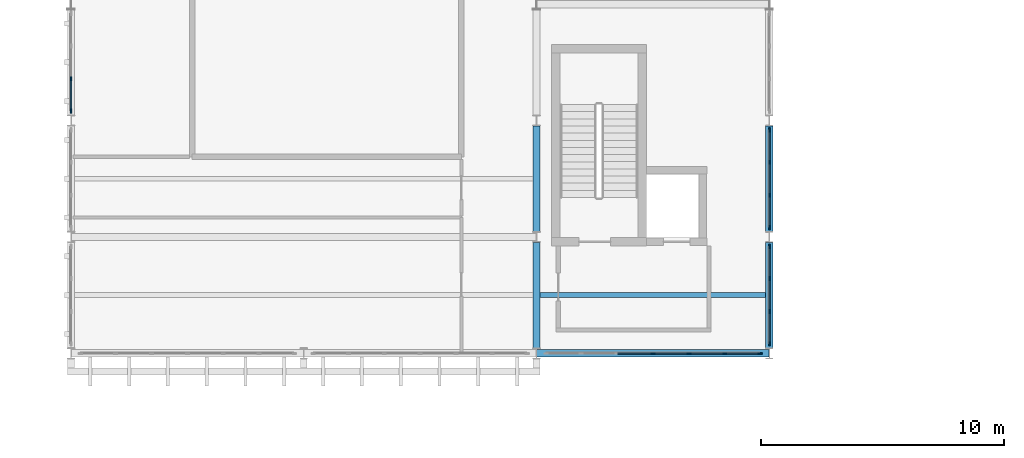
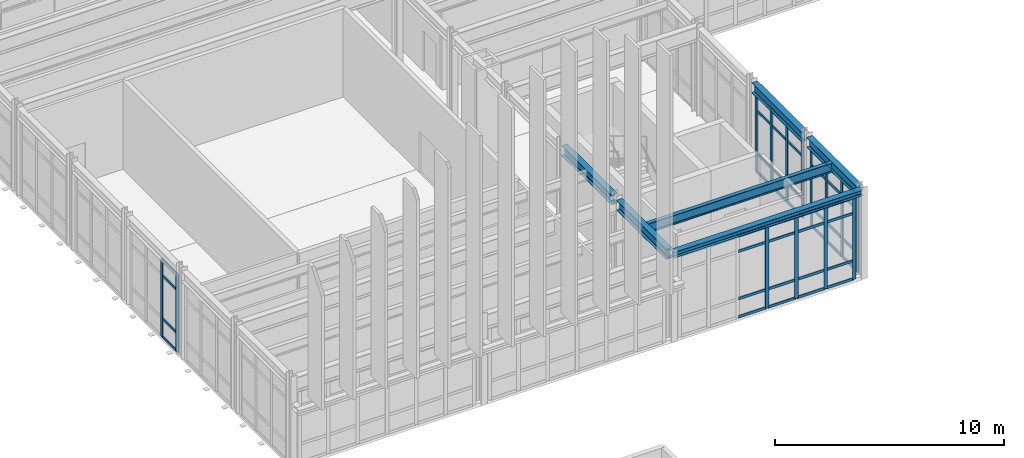
# One storey, part 5 of 28: 58 members, 6 beams, 4 elements without a shape of their own.
"""IFC4 building model written with IfcOpenShell, lengths in metres."""

import ifcopenshell
import ifcopenshell.guid

model = None  # the IFC model being written
_history = None  # IfcOwnerHistory: only IFC2X3 demands one
_inside = {}  # id of a spatial element -> (the spatial element, [elements in it])
_under = {}  # id of a project, library or spatial element -> (it, [spatial elements below it])
_declared = {}  # id of a project -> (the project, [libraries it declares])
_typed = {}  # id of a type object -> (the type object, [elements of that type])
_made_of = {}  # id of a material, layer set ... -> (it, [elements and type objects made of it])


def new_model(schema):
    """Start an empty IFC model of exactly this schema.

    Asked for "IFC4X3", IfcOpenShell would pick the latest addendum, in which some entities
    have other attributes; the version numbers below select the first issue.
    IFC2X3 requires an IfcOwnerHistory on every rooted entity: one is made here for all.
    """
    global model, _history
    if schema == "IFC4X3":
        model = ifcopenshell.file(schema_version=(4, 3, 0, 0))
    else:
        model = ifcopenshell.file(schema=schema)
    _inside.clear()
    _under.clear()
    _declared.clear()
    _typed.clear()
    _made_of.clear()
    _history = None
    if model.schema == "IFC2X3":
        org = make("IfcOrganization", Name="unknown")
        user = make(
            "IfcPersonAndOrganization",
            ThePerson=make("IfcPerson", FamilyName="unknown"),
            TheOrganization=org,
        )
        app = make(
            "IfcApplication",
            ApplicationDeveloper=org,
            Version="unknown",
            ApplicationFullName="unknown",
            ApplicationIdentifier="unknown",
        )
        _history = make(
            "IfcOwnerHistory",
            OwningUser=user,
            OwningApplication=app,
            ChangeAction="ADDED",
            CreationDate=0,
        )
    return model


def make(cls, **values):
    """One entity of the class cls with the attributes given. An attribute that is None is left unset."""
    return model.create_entity(
        cls, **{name: value for name, value in values.items() if value is not None}
    )


def rooted(cls, **values):
    """An entity with a GlobalId (a new one), such as an element, a storey or a relation."""
    return make(cls, GlobalId=ifcopenshell.guid.new(), OwnerHistory=_history, **values)


def si_unit(unit_type, name, prefix=None):
    """IfcSIUnit, for example si_unit("LENGTHUNIT", "METRE", prefix="MILLI")."""
    return make("IfcSIUnit", UnitType=unit_type, Prefix=prefix, Name=name)


def assignment(units):
    """IfcUnitAssignment: the units of a project."""
    return None if units is None else make("IfcUnitAssignment", Units=units)


def point(xyz):
    """IfcCartesianPoint."""
    return None if xyz is None else make("IfcCartesianPoint", Coordinates=xyz)


def direction(xyz):
    """IfcDirection."""
    return None if xyz is None else make("IfcDirection", DirectionRatios=xyz)


def frame(location, z_axis=None, x_axis=None):
    """IfcAxis2Placement3D, a coordinate frame: its origin and axes. An axis left out is left unset."""
    return make(
        "IfcAxis2Placement3D",
        Location=point(location),
        Axis=direction(z_axis),
        RefDirection=direction(x_axis),
    )


def frame_2d(location, x_axis=None):
    """IfcAxis2Placement2D, a coordinate frame in the plane: its origin and x axis."""
    return make(
        "IfcAxis2Placement2D", Location=point(location), RefDirection=direction(x_axis)
    )


def origin():
    """The frame at (0, 0, 0) with its axes left unset."""
    return frame((0.0, 0.0, 0.0))


def origin_2d():
    """The frame at (0, 0) in the plane with its x axis left unset."""
    return frame_2d((0.0, 0.0))


def place(relative_to, where):
    """IfcLocalPlacement: puts the frame where relative to a parent placement (None: the world)."""
    return make(
        "IfcLocalPlacement", PlacementRelTo=relative_to, RelativePlacement=where
    )


def context(
    kind, dimensions, precision=None, world=None, true_north=None, identifier=None
):
    """IfcGeometricRepresentationContext, for example the 3D "Model" context."""
    return make(
        "IfcGeometricRepresentationContext",
        ContextIdentifier=identifier,
        ContextType=kind,
        CoordinateSpaceDimension=dimensions,
        Precision=precision,
        WorldCoordinateSystem=world,
        TrueNorth=true_north,
    )


def subcontext(parent, identifier, kind, view, scale=None):
    """IfcGeometricRepresentationSubContext, for example "Body" below "Model"."""
    return make(
        "IfcGeometricRepresentationSubContext",
        ContextIdentifier=identifier,
        ContextType=kind,
        ParentContext=parent,
        TargetScale=scale,
        TargetView=view,
    )


def project(units=None, contexts=None):
    """IfcProject with its units and contexts."""
    return rooted(
        "IfcProject",
        Name="project",
        RepresentationContexts=contexts,
        UnitsInContext=assignment(units),
    )


def spatial(cls, under=None, at=None, **own):
    """A site, building, storey or space (cls), placed at a placement, below another one or the project."""
    s = rooted(cls, ObjectPlacement=at, **own)
    if under is not None:
        _under.setdefault(under.id(), (under, []))[1].append(s)
    return s


def profile(cls, at=None, kind="AREA", **sizes):
    """A parametric profile (cls). Its sizes go by their IFC names, for example OverallWidth=200.0."""
    return make(cls, ProfileType=kind, Position=at, **sizes)


def rectangle(**sizes):
    """IfcRectangleProfileDef."""
    return profile("IfcRectangleProfileDef", **sizes)


def i_section(**sizes):
    """IfcIShapeProfileDef."""
    return profile("IfcIShapeProfileDef", **sizes)


def extrude(swept, where, along, depth):
    """IfcExtrudedAreaSolid: the profile swept, set in the frame where, extruded along a direction by depth."""
    return make(
        "IfcExtrudedAreaSolid",
        SweptArea=swept,
        Position=where,
        ExtrudedDirection=direction(along),
        Depth=depth,
    )


def shape(context_of_items, identifier, shape_type, items):
    """IfcShapeRepresentation: the items that make up one representation, for example the "Body"."""
    return make(
        "IfcShapeRepresentation",
        ContextOfItems=context_of_items,
        RepresentationIdentifier=identifier,
        RepresentationType=shape_type,
        Items=items,
    )


def material(Name=None, Category=None):
    """IfcMaterial."""
    return make("IfcMaterial", Name=Name, Category=Category)


def layer(
    of_material, thickness, ventilated=None, Name=None, Category=None, Priority=None
):
    """IfcMaterialLayer: one layer of a wall or slab, of a material (None: an air gap)."""
    return make(
        "IfcMaterialLayer",
        Material=of_material,
        LayerThickness=thickness,
        IsVentilated=ventilated,
        Name=Name,
        Category=Category,
        Priority=Priority,
    )


def layer_set(layers, Name=None):
    """IfcMaterialLayerSet."""
    return make("IfcMaterialLayerSet", MaterialLayers=layers, LayerSetName=Name)


def material_profile(
    of_material, cross_section, Name=None, Category=None, Priority=None
):
    """IfcMaterialProfile: a cross section and its material."""
    return make(
        "IfcMaterialProfile",
        Name=Name,
        Material=of_material,
        Profile=cross_section,
        Priority=Priority,
        Category=Category,
    )


def profile_set(profiles, Name=None, composite=None):
    """IfcMaterialProfileSet."""
    return make(
        "IfcMaterialProfileSet",
        Name=Name,
        MaterialProfiles=profiles,
        CompositeProfile=composite,
    )


def made_of(thing, what):
    """Note that an element or type object is made of a material, layer set ...; save() writes the relation."""
    if what is not None:
        _made_of.setdefault(what.id(), (what, []))[1].append(thing)
    return thing


def type_object(cls, material=None, **own):
    """A type object (cls), such as IfcWallType, which elements share."""
    return made_of(rooted(cls, **own), material)


def element(
    cls,
    number,
    at=None,
    inside=None,
    cuts=None,
    type_object=None,
    material=None,
    context=None,
    identifier="Body",
    shape_type=None,
    held_by="IfcProductDefinitionShape",
    body=None,
    shapes=None,
    **own,
):
    """One element of the class cls, such as IfcWall. Its Tag is "e" and its number.

    at: its placement. inside: the storey or other place that contains it. cuts: it is an
    opening in that element (IfcRelVoidsElement). A single representation is given by context,
    identifier, shape_type and body (its items); several are given by shapes. held_by: the class
    of the entity that holds the representations. save() writes the other relations.
    """
    e = rooted(cls, Tag="e%d" % number, ObjectPlacement=at, **own)
    if body is not None:
        shapes = [shape(context, identifier, shape_type, body)]
    if shapes is not None:
        e.Representation = make(held_by, Representations=shapes)
    if inside is not None:
        _inside.setdefault(inside.id(), (inside, []))[1].append(e)
    if cuts is not None:
        rooted(
            "IfcRelVoidsElement", RelatingBuildingElement=cuts, RelatedOpeningElement=e
        )
    if type_object is not None:
        _typed.setdefault(type_object.id(), (type_object, []))[1].append(e)
    return made_of(e, material)


def aggregate(whole, parts):
    """IfcRelAggregates: a whole, such as a stair, and the parts it consists of."""
    return rooted("IfcRelAggregates", RelatingObject=whole, RelatedObjects=parts)


def save(model, path):
    """Write the relations noted so far, then the file.

    IfcRelAggregates (storeys below a building ...), IfcRelContainedInSpatialStructure (elements
    in a storey), IfcRelDefinesByType, IfcRelAssociatesMaterial and IfcRelDeclares: one each for
    every whole, place, type object, material and project.
    """
    for whole, parts in _under.values():
        aggregate(whole, parts)
    for where, things in _inside.values():
        rooted(
            "IfcRelContainedInSpatialStructure",
            RelatedElements=things,
            RelatingStructure=where,
        )
    for kind, things in _typed.values():
        rooted("IfcRelDefinesByType", RelatedObjects=things, RelatingType=kind)
    for what, things in _made_of.values():
        rooted("IfcRelAssociatesMaterial", RelatedObjects=things, RelatingMaterial=what)
    for by, libraries in _declared.values():
        rooted("IfcRelDeclares", RelatingContext=by, RelatedDefinitions=libraries)
    model.write(path)


model = new_model("IFC4")

# Units and contexts
model_context = context("Model", 3, precision=1e-05, world=origin(), true_north=direction((0.0, 1.0)))
body_context = subcontext(model_context, "Body", "Model", "MODEL_VIEW")
ifc_project = project(units=[si_unit("LENGTHUNIT", "METRE"), si_unit("AREAUNIT", "SQUARE_METRE"), si_unit("VOLUMEUNIT", "CUBIC_METRE"), si_unit("PLANEANGLEUNIT", "RADIAN"), si_unit("MASSUNIT", "GRAM", prefix="KILO")], contexts=[model_context])

# Site, building, storey
site_placement = place(None, origin())
site = spatial("IfcSite", under=ifc_project, at=site_placement, CompositionType="ELEMENT")
building_placement = place(site_placement, origin())
building = spatial("IfcBuilding", under=site, at=building_placement, Name="Nordkorset Police Headquarters", CompositionType="ELEMENT")
storey_placement = place(building_placement, frame((0.0, 0.0, 26.25)))
storey = spatial("IfcBuildingStorey", under=building, at=storey_placement, Name="L06", CompositionType="ELEMENT", Elevation=26.25)

# Beam
ifc_material_1 = material(Name="Steel S355J2", Category="steel")
ifc_material_profile_1 = material_profile(ifc_material_1, i_section(OverallWidth=0.199951171875, OverallDepth=0.5, WebThickness=0.01025390625, FlangeThickness=0.01611328125, FilletRadius=0.02099609375, at=origin_2d()), Name="IPE 500")
ifc_profile_set_1 = profile_set([ifc_material_profile_1], Name="Steel S355J2")
beam_type_1 = type_object("IfcBeamType", Name="Beam_IPE_500", PredefinedType="BEAM", material=ifc_profile_set_1)
beam_1_placement = place(storey_placement, frame((19.35009765625, 85.60009765625, 4.4599609375), z_axis=(1.0, 0.0, 0.0), x_axis=(0.0, 1.0, 0.0)))
element("IfcBeam", 1, at=beam_1_placement, inside=storey, type_object=beam_type_1, Name="Composite Floor Beam V1 L06 1-0-1", PredefinedType="BEAM", context=body_context, shape_type="SweptSolid", body=[
    extrude(i_section(OverallWidth=0.199951171875, OverallDepth=0.5, WebThickness=0.01025390625, FlangeThickness=0.01611328125, FilletRadius=0.02099609375, at=origin_2d()), origin(), (0.0, 0.0, 1.0), 9.2998046875),
])

# Curtain wall, members
ifc_material_2 = material(Name="Aluminium alloy AW-6060", Category="aluminium")
ifc_layer_1 = layer(ifc_material_2, 0.179931640625, Name="Aluminium alloy AW-6060")
ifc_layer_set_1 = layer_set([ifc_layer_1], Name="Aluminium alloy AW-6060")
curtain_wall_type_1 = type_object("IfcCurtainWallType", Name="CW_Unit_408x415", PredefinedType="USERDEFINED", material=ifc_layer_set_1)
curtain_wall_1_placement = place(storey_placement, origin())
curtain_wall_1 = element("IfcCurtainWall", 2, at=curtain_wall_1_placement, inside=storey, type_object=curtain_wall_type_1, Name="Unitised Curtain Wall L06 V1W-2", ObjectType="UNITISED CURTAIN WALL", PredefinedType="USERDEFINED")
ifc_material_3 = material(Name="Aluminium alloy AW-6060", Category="aluminium")
ifc_material_profile_2 = material_profile(ifc_material_3, rectangle(XDim=0.06494140625, YDim=0.179931640625, at=origin_2d()), Name="ALU MULL 65x180")
ifc_profile_set_2 = profile_set([ifc_material_profile_2], Name="Aluminium alloy AW-6060")
member_type_1 = type_object("IfcMemberType", Name="CW_Mullion_65x180", PredefinedType="MULLION", material=ifc_profile_set_2)
member_1_placement = place(storey_placement, frame((0.0, 93.1923828125, 0.0), z_axis=(0.0, 0.0, 1.0), x_axis=(-1.0, 0.0, 0.0)))
member_1 = element("IfcMember", 3, at=member_1_placement, type_object=member_type_1, Name="CW-101 mullion 1", PredefinedType="MULLION", context=body_context, shape_type="SweptSolid", body=[
    extrude(rectangle(XDim=0.06494140625, YDim=0.179931640625, at=origin_2d()), origin(), (0.0, 0.0, 1.0), 4.14990234375),
])
member_2_placement = place(storey_placement, frame((0.0, 94.52001953125, 0.0), z_axis=(0.0, 0.0, 1.0), x_axis=(-1.0, 0.0, 0.0)))
member_2 = element("IfcMember", 4, at=member_2_placement, type_object=member_type_1, Name="CW-101 mullion 2", PredefinedType="MULLION", context=body_context, shape_type="SweptSolid", body=[
    extrude(rectangle(XDim=0.06494140625, YDim=0.179931640625, at=origin_2d()), origin(), (0.0, 0.0, 1.0), 4.14990234375),
])

curtain_wall_2_placement = place(storey_placement, origin())
curtain_wall_2 = element("IfcCurtainWall", 5, at=curtain_wall_2_placement, inside=storey, type_object=curtain_wall_type_1, Name="Unitised Curtain Wall L06 V1E-0", ObjectType="UNITISED CURTAIN WALL", PredefinedType="USERDEFINED")
member_3_placement = place(storey_placement, frame((28.800048828125, 83.592529296875, 0.0), z_axis=(0.0, 0.0, 1.0), x_axis=(-1.0, 0.0, 0.0)))
member_3 = element("IfcMember", 6, at=member_3_placement, type_object=member_type_1, Name="CW-101 mullion 1", PredefinedType="MULLION", context=body_context, shape_type="SweptSolid", body=[
    extrude(rectangle(XDim=0.06494140625, YDim=0.179931640625, at=origin_2d()), origin(), (0.0, 0.0, 1.0), 4.14990234375),
])
member_4_placement = place(storey_placement, frame((28.800048828125, 84.919921875, 0.0), z_axis=(0.0, 0.0, 1.0), x_axis=(-1.0, 0.0, 0.0)))
member_4 = element("IfcMember", 7, at=member_4_placement, type_object=member_type_1, Name="CW-101 mullion 2", PredefinedType="MULLION", context=body_context, shape_type="SweptSolid", body=[
    extrude(rectangle(XDim=0.06494140625, YDim=0.179931640625, at=origin_2d()), origin(), (0.0, 0.0, 1.0), 4.14990234375),
])
member_5_placement = place(storey_placement, frame((28.800048828125, 86.280029296875, 0.0), z_axis=(0.0, 0.0, 1.0), x_axis=(-1.0, 0.0, 0.0)))
member_5 = element("IfcMember", 8, at=member_5_placement, type_object=member_type_1, Name="CW-101 mullion 3", PredefinedType="MULLION", context=body_context, shape_type="SweptSolid", body=[
    extrude(rectangle(XDim=0.06494140625, YDim=0.179931640625, at=origin_2d()), origin(), (0.0, 0.0, 1.0), 4.14990234375),
])
member_6_placement = place(storey_placement, frame((28.800048828125, 87.607421875, 0.0), z_axis=(0.0, 0.0, 1.0), x_axis=(-1.0, 0.0, 0.0)))
member_6 = element("IfcMember", 9, at=member_6_placement, type_object=member_type_1, Name="CW-101 mullion 4", PredefinedType="MULLION", context=body_context, shape_type="SweptSolid", body=[
    extrude(rectangle(XDim=0.06494140625, YDim=0.179931640625, at=origin_2d()), origin(), (0.0, 0.0, 1.0), 4.14990234375),
])

curtain_wall_3_placement = place(storey_placement, origin())
curtain_wall_3 = element("IfcCurtainWall", 10, at=curtain_wall_3_placement, inside=storey, type_object=curtain_wall_type_1, Name="Unitised Curtain Wall L06 V1E-1", ObjectType="UNITISED CURTAIN WALL", PredefinedType="USERDEFINED")
member_7_placement = place(storey_placement, frame((28.800048828125, 88.392578125, 0.0), z_axis=(0.0, 0.0, 1.0), x_axis=(-1.0, 0.0, 0.0)))
member_7 = element("IfcMember", 11, at=member_7_placement, type_object=member_type_1, Name="CW-101 mullion 1", PredefinedType="MULLION", context=body_context, shape_type="SweptSolid", body=[
    extrude(rectangle(XDim=0.06494140625, YDim=0.179931640625, at=origin_2d()), origin(), (0.0, 0.0, 1.0), 4.14990234375),
])
member_8_placement = place(storey_placement, frame((28.800048828125, 89.719970703125, 0.0), z_axis=(0.0, 0.0, 1.0), x_axis=(-1.0, 0.0, 0.0)))
member_8 = element("IfcMember", 12, at=member_8_placement, type_object=member_type_1, Name="CW-101 mullion 2", PredefinedType="MULLION", context=body_context, shape_type="SweptSolid", body=[
    extrude(rectangle(XDim=0.06494140625, YDim=0.179931640625, at=origin_2d()), origin(), (0.0, 0.0, 1.0), 4.14990234375),
])
member_9_placement = place(storey_placement, frame((28.800048828125, 91.080078125, 0.0), z_axis=(0.0, 0.0, 1.0), x_axis=(-1.0, 0.0, 0.0)))
member_9 = element("IfcMember", 13, at=member_9_placement, type_object=member_type_1, Name="CW-101 mullion 3", PredefinedType="MULLION", context=body_context, shape_type="SweptSolid", body=[
    extrude(rectangle(XDim=0.06494140625, YDim=0.179931640625, at=origin_2d()), origin(), (0.0, 0.0, 1.0), 4.14990234375),
])
member_10_placement = place(storey_placement, frame((28.800048828125, 92.407470703125, 0.0), z_axis=(0.0, 0.0, 1.0), x_axis=(-1.0, 0.0, 0.0)))
member_10 = element("IfcMember", 14, at=member_10_placement, type_object=member_type_1, Name="CW-101 mullion 4", PredefinedType="MULLION", context=body_context, shape_type="SweptSolid", body=[
    extrude(rectangle(XDim=0.06494140625, YDim=0.179931640625, at=origin_2d()), origin(), (0.0, 0.0, 1.0), 4.14990234375),
])

ifc_material_4 = material(Name="Aluminium alloy AW-6060", Category="aluminium")
ifc_layer_2 = layer(ifc_material_4, 0.179931640625, Name="Aluminium alloy AW-6060")
ifc_layer_set_2 = layer_set([ifc_layer_2], Name="Aluminium alloy AW-6060")
curtain_wall_type_2 = type_object("IfcCurtainWallType", Name="CW_Unit_888x438", PredefinedType="USERDEFINED", material=ifc_layer_set_2)
curtain_wall_4_placement = place(storey_placement, origin())
curtain_wall_4 = element("IfcCurtainWall", 15, at=curtain_wall_4_placement, inside=storey, type_object=curtain_wall_type_2, Name="Unitised Curtain Wall L06 V1S-2", ObjectType="UNITISED CURTAIN WALL", PredefinedType="USERDEFINED")
member_11_placement = place(storey_placement, frame((24.0, 83.199951171875, 0.0), z_axis=(0.0, 0.0, 1.0), x_axis=(0.0, 1.0, 0.0)))
member_11 = element("IfcMember", 16, at=member_11_placement, type_object=member_type_1, Name="CW-102 mullion 4", PredefinedType="MULLION", context=body_context, shape_type="SweptSolid", body=[
    extrude(rectangle(XDim=0.06494140625, YDim=0.179931640625, at=origin_2d()), origin(), (0.0, 0.0, 1.0), 4.3798828125),
])
member_12_placement = place(storey_placement, frame((25.47998046875, 83.199951171875, 0.0), z_axis=(0.0, 0.0, 1.0), x_axis=(0.0, 1.0, 0.0)))
member_12 = element("IfcMember", 17, at=member_12_placement, type_object=member_type_1, Name="CW-102 mullion 5", PredefinedType="MULLION", context=body_context, shape_type="SweptSolid", body=[
    extrude(rectangle(XDim=0.06494140625, YDim=0.179931640625, at=origin_2d()), origin(), (0.0, 0.0, 1.0), 4.3798828125),
])
member_13_placement = place(storey_placement, frame((26.9599609375, 83.199951171875, 0.0), z_axis=(0.0, 0.0, 1.0), x_axis=(0.0, 1.0, 0.0)))
member_13 = element("IfcMember", 18, at=member_13_placement, type_object=member_type_1, Name="CW-102 mullion 6", PredefinedType="MULLION", context=body_context, shape_type="SweptSolid", body=[
    extrude(rectangle(XDim=0.06494140625, YDim=0.179931640625, at=origin_2d()), origin(), (0.0, 0.0, 1.0), 4.3798828125),
])
member_14_placement = place(storey_placement, frame((28.407470703125, 83.199951171875, 0.0), z_axis=(0.0, 0.0, 1.0), x_axis=(0.0, 1.0, 0.0)))
member_14 = element("IfcMember", 19, at=member_14_placement, type_object=member_type_1, Name="CW-102 mullion 7", PredefinedType="MULLION", context=body_context, shape_type="SweptSolid", body=[
    extrude(rectangle(XDim=0.06494140625, YDim=0.179931640625, at=origin_2d()), origin(), (0.0, 0.0, 1.0), 4.3798828125),
])

# Member
ifc_material_5 = material(Name="Aluminium alloy AW-6060", Category="aluminium")
ifc_material_profile_3 = material_profile(ifc_material_5, rectangle(XDim=0.06494140625, YDim=0.139892578125, at=origin_2d()), Name="ALU TRAN 65x140")
ifc_profile_set_3 = profile_set([ifc_material_profile_3], Name="Aluminium alloy AW-6060")
member_type_2 = type_object("IfcMemberType", Name="CW_Transom_65x140", PredefinedType="USERDEFINED", material=ifc_profile_set_3)
member_15_placement = place(storey_placement, frame((0.0, 93.22509765625, 0.032470703125), z_axis=(0.0, 1.0, 0.0), x_axis=(-1.0, 0.0, 0.0)))
member_15 = element("IfcMember", 20, at=member_15_placement, type_object=member_type_2, Name="CW-101 transom 1.1", ObjectType="TRANSOM", PredefinedType="USERDEFINED", context=body_context, shape_type="SweptSolid", body=[
    extrude(rectangle(XDim=0.06494140625, YDim=0.139892578125, at=origin_2d()), origin(), (0.0, 0.0, 1.0), 1.262451171875),
])

member_16_placement = place(storey_placement, frame((0.0, 93.22509765625, 1.0), z_axis=(0.0, 1.0, 0.0), x_axis=(-1.0, 0.0, 0.0)))
member_16 = element("IfcMember", 21, at=member_16_placement, type_object=member_type_2, Name="CW-101 transom 1.2", ObjectType="TRANSOM", PredefinedType="USERDEFINED", context=body_context, shape_type="SweptSolid", body=[
    extrude(rectangle(XDim=0.06494140625, YDim=0.139892578125, at=origin_2d()), origin(), (0.0, 0.0, 1.0), 1.262451171875),
])

member_17_placement = place(storey_placement, frame((0.0, 93.22509765625, 3.300048828125), z_axis=(0.0, 1.0, 0.0), x_axis=(-1.0, 0.0, 0.0)))
member_17 = element("IfcMember", 22, at=member_17_placement, type_object=member_type_2, Name="CW-101 transom 1.3", ObjectType="TRANSOM", PredefinedType="USERDEFINED", context=body_context, shape_type="SweptSolid", body=[
    extrude(rectangle(XDim=0.06494140625, YDim=0.139892578125, at=origin_2d()), origin(), (0.0, 0.0, 1.0), 1.262451171875),
])

member_18_placement = place(storey_placement, frame((0.0, 93.22509765625, 4.117431640625), z_axis=(0.0, 1.0, 0.0), x_axis=(-1.0, 0.0, 0.0)))
member_18 = element("IfcMember", 23, at=member_18_placement, type_object=member_type_2, Name="CW-101 transom 1.4", ObjectType="TRANSOM", PredefinedType="USERDEFINED", context=body_context, shape_type="SweptSolid", body=[
    extrude(rectangle(XDim=0.06494140625, YDim=0.139892578125, at=origin_2d()), origin(), (0.0, 0.0, 1.0), 1.262451171875),
])

aggregate(curtain_wall_1, [member_1, member_2, member_15, member_16, member_17, member_18])

member_19_placement = place(storey_placement, frame((28.800048828125, 83.625, 0.032470703125), z_axis=(0.0, 1.0, 0.0), x_axis=(-1.0, 0.0, 0.0)))
member_19 = element("IfcMember", 24, at=member_19_placement, type_object=member_type_2, Name="CW-101 transom 1.1", ObjectType="TRANSOM", PredefinedType="USERDEFINED", context=body_context, shape_type="SweptSolid", body=[
    extrude(rectangle(XDim=0.06494140625, YDim=0.139892578125, at=origin_2d()), origin(), (0.0, 0.0, 1.0), 1.262451171875),
])

member_20_placement = place(storey_placement, frame((28.800048828125, 83.625, 1.0), z_axis=(0.0, 1.0, 0.0), x_axis=(-1.0, 0.0, 0.0)))
member_20 = element("IfcMember", 25, at=member_20_placement, type_object=member_type_2, Name="CW-101 transom 1.2", ObjectType="TRANSOM", PredefinedType="USERDEFINED", context=body_context, shape_type="SweptSolid", body=[
    extrude(rectangle(XDim=0.06494140625, YDim=0.139892578125, at=origin_2d()), origin(), (0.0, 0.0, 1.0), 1.262451171875),
])

member_21_placement = place(storey_placement, frame((28.800048828125, 83.625, 3.300048828125), z_axis=(0.0, 1.0, 0.0), x_axis=(-1.0, 0.0, 0.0)))
member_21 = element("IfcMember", 26, at=member_21_placement, type_object=member_type_2, Name="CW-101 transom 1.3", ObjectType="TRANSOM", PredefinedType="USERDEFINED", context=body_context, shape_type="SweptSolid", body=[
    extrude(rectangle(XDim=0.06494140625, YDim=0.139892578125, at=origin_2d()), origin(), (0.0, 0.0, 1.0), 1.262451171875),
])

member_22_placement = place(storey_placement, frame((28.800048828125, 83.625, 4.117431640625), z_axis=(0.0, 1.0, 0.0), x_axis=(-1.0, 0.0, 0.0)))
member_22 = element("IfcMember", 27, at=member_22_placement, type_object=member_type_2, Name="CW-101 transom 1.4", ObjectType="TRANSOM", PredefinedType="USERDEFINED", context=body_context, shape_type="SweptSolid", body=[
    extrude(rectangle(XDim=0.06494140625, YDim=0.139892578125, at=origin_2d()), origin(), (0.0, 0.0, 1.0), 1.262451171875),
])

member_23_placement = place(storey_placement, frame((28.800048828125, 84.952392578125, 0.032470703125), z_axis=(0.0, 1.0, 0.0), x_axis=(-1.0, 0.0, 0.0)))
member_23 = element("IfcMember", 28, at=member_23_placement, type_object=member_type_2, Name="CW-101 transom 2.1", ObjectType="TRANSOM", PredefinedType="USERDEFINED", context=body_context, shape_type="SweptSolid", body=[
    extrude(rectangle(XDim=0.06494140625, YDim=0.139892578125, at=origin_2d()), origin(), (0.0, 0.0, 1.0), 1.295166015625),
])

member_24_placement = place(storey_placement, frame((28.800048828125, 84.952392578125, 1.0), z_axis=(0.0, 1.0, 0.0), x_axis=(-1.0, 0.0, 0.0)))
member_24 = element("IfcMember", 29, at=member_24_placement, type_object=member_type_2, Name="CW-101 transom 2.2", ObjectType="TRANSOM", PredefinedType="USERDEFINED", context=body_context, shape_type="SweptSolid", body=[
    extrude(rectangle(XDim=0.06494140625, YDim=0.139892578125, at=origin_2d()), origin(), (0.0, 0.0, 1.0), 1.295166015625),
])

member_25_placement = place(storey_placement, frame((28.800048828125, 84.952392578125, 3.300048828125), z_axis=(0.0, 1.0, 0.0), x_axis=(-1.0, 0.0, 0.0)))
member_25 = element("IfcMember", 30, at=member_25_placement, type_object=member_type_2, Name="CW-101 transom 2.3", ObjectType="TRANSOM", PredefinedType="USERDEFINED", context=body_context, shape_type="SweptSolid", body=[
    extrude(rectangle(XDim=0.06494140625, YDim=0.139892578125, at=origin_2d()), origin(), (0.0, 0.0, 1.0), 1.295166015625),
])

member_26_placement = place(storey_placement, frame((28.800048828125, 84.952392578125, 4.117431640625), z_axis=(0.0, 1.0, 0.0), x_axis=(-1.0, 0.0, 0.0)))
member_26 = element("IfcMember", 31, at=member_26_placement, type_object=member_type_2, Name="CW-101 transom 2.4", ObjectType="TRANSOM", PredefinedType="USERDEFINED", context=body_context, shape_type="SweptSolid", body=[
    extrude(rectangle(XDim=0.06494140625, YDim=0.139892578125, at=origin_2d()), origin(), (0.0, 0.0, 1.0), 1.295166015625),
])

member_27_placement = place(storey_placement, frame((28.800048828125, 86.3125, 0.032470703125), z_axis=(0.0, 1.0, 0.0), x_axis=(-1.0, 0.0, 0.0)))
member_27 = element("IfcMember", 32, at=member_27_placement, type_object=member_type_2, Name="CW-101 transom 3.1", ObjectType="TRANSOM", PredefinedType="USERDEFINED", context=body_context, shape_type="SweptSolid", body=[
    extrude(rectangle(XDim=0.06494140625, YDim=0.139892578125, at=origin_2d()), origin(), (0.0, 0.0, 1.0), 1.262451171875),
])

member_28_placement = place(storey_placement, frame((28.800048828125, 86.3125, 1.0), z_axis=(0.0, 1.0, 0.0), x_axis=(-1.0, 0.0, 0.0)))
member_28 = element("IfcMember", 33, at=member_28_placement, type_object=member_type_2, Name="CW-101 transom 3.2", ObjectType="TRANSOM", PredefinedType="USERDEFINED", context=body_context, shape_type="SweptSolid", body=[
    extrude(rectangle(XDim=0.06494140625, YDim=0.139892578125, at=origin_2d()), origin(), (0.0, 0.0, 1.0), 1.262451171875),
])

member_29_placement = place(storey_placement, frame((28.800048828125, 86.3125, 3.300048828125), z_axis=(0.0, 1.0, 0.0), x_axis=(-1.0, 0.0, 0.0)))
member_29 = element("IfcMember", 34, at=member_29_placement, type_object=member_type_2, Name="CW-101 transom 3.3", ObjectType="TRANSOM", PredefinedType="USERDEFINED", context=body_context, shape_type="SweptSolid", body=[
    extrude(rectangle(XDim=0.06494140625, YDim=0.139892578125, at=origin_2d()), origin(), (0.0, 0.0, 1.0), 1.262451171875),
])

member_30_placement = place(storey_placement, frame((28.800048828125, 86.3125, 4.117431640625), z_axis=(0.0, 1.0, 0.0), x_axis=(-1.0, 0.0, 0.0)))
member_30 = element("IfcMember", 35, at=member_30_placement, type_object=member_type_2, Name="CW-101 transom 3.4", ObjectType="TRANSOM", PredefinedType="USERDEFINED", context=body_context, shape_type="SweptSolid", body=[
    extrude(rectangle(XDim=0.06494140625, YDim=0.139892578125, at=origin_2d()), origin(), (0.0, 0.0, 1.0), 1.262451171875),
])

aggregate(curtain_wall_2, [member_3, member_4, member_5, member_6, member_19, member_20, member_21, member_22, member_23, member_24, member_25, member_26, member_27, member_28, member_29, member_30])

member_31_placement = place(storey_placement, frame((28.800048828125, 88.425048828125, 0.032470703125), z_axis=(0.0, 1.0, 0.0), x_axis=(-1.0, 0.0, 0.0)))
member_31 = element("IfcMember", 36, at=member_31_placement, type_object=member_type_2, Name="CW-101 transom 1.1", ObjectType="TRANSOM", PredefinedType="USERDEFINED", context=body_context, shape_type="SweptSolid", body=[
    extrude(rectangle(XDim=0.06494140625, YDim=0.139892578125, at=origin_2d()), origin(), (0.0, 0.0, 1.0), 1.262451171875),
])

member_32_placement = place(storey_placement, frame((28.800048828125, 88.425048828125, 1.0), z_axis=(0.0, 1.0, 0.0), x_axis=(-1.0, 0.0, 0.0)))
member_32 = element("IfcMember", 37, at=member_32_placement, type_object=member_type_2, Name="CW-101 transom 1.2", ObjectType="TRANSOM", PredefinedType="USERDEFINED", context=body_context, shape_type="SweptSolid", body=[
    extrude(rectangle(XDim=0.06494140625, YDim=0.139892578125, at=origin_2d()), origin(), (0.0, 0.0, 1.0), 1.262451171875),
])

member_33_placement = place(storey_placement, frame((28.800048828125, 88.425048828125, 3.300048828125), z_axis=(0.0, 1.0, 0.0), x_axis=(-1.0, 0.0, 0.0)))
member_33 = element("IfcMember", 38, at=member_33_placement, type_object=member_type_2, Name="CW-101 transom 1.3", ObjectType="TRANSOM", PredefinedType="USERDEFINED", context=body_context, shape_type="SweptSolid", body=[
    extrude(rectangle(XDim=0.06494140625, YDim=0.139892578125, at=origin_2d()), origin(), (0.0, 0.0, 1.0), 1.262451171875),
])

member_34_placement = place(storey_placement, frame((28.800048828125, 88.425048828125, 4.117431640625), z_axis=(0.0, 1.0, 0.0), x_axis=(-1.0, 0.0, 0.0)))
member_34 = element("IfcMember", 39, at=member_34_placement, type_object=member_type_2, Name="CW-101 transom 1.4", ObjectType="TRANSOM", PredefinedType="USERDEFINED", context=body_context, shape_type="SweptSolid", body=[
    extrude(rectangle(XDim=0.06494140625, YDim=0.139892578125, at=origin_2d()), origin(), (0.0, 0.0, 1.0), 1.262451171875),
])

member_35_placement = place(storey_placement, frame((28.800048828125, 89.75244140625, 0.032470703125), z_axis=(0.0, 1.0, 0.0), x_axis=(-1.0, 0.0, 0.0)))
member_35 = element("IfcMember", 40, at=member_35_placement, type_object=member_type_2, Name="CW-101 transom 2.1", ObjectType="TRANSOM", PredefinedType="USERDEFINED", context=body_context, shape_type="SweptSolid", body=[
    extrude(rectangle(XDim=0.06494140625, YDim=0.139892578125, at=origin_2d()), origin(), (0.0, 0.0, 1.0), 1.295166015625),
])

member_36_placement = place(storey_placement, frame((28.800048828125, 89.75244140625, 1.0), z_axis=(0.0, 1.0, 0.0), x_axis=(-1.0, 0.0, 0.0)))
member_36 = element("IfcMember", 41, at=member_36_placement, type_object=member_type_2, Name="CW-101 transom 2.2", ObjectType="TRANSOM", PredefinedType="USERDEFINED", context=body_context, shape_type="SweptSolid", body=[
    extrude(rectangle(XDim=0.06494140625, YDim=0.139892578125, at=origin_2d()), origin(), (0.0, 0.0, 1.0), 1.295166015625),
])

member_37_placement = place(storey_placement, frame((28.800048828125, 89.75244140625, 3.300048828125), z_axis=(0.0, 1.0, 0.0), x_axis=(-1.0, 0.0, 0.0)))
member_37 = element("IfcMember", 42, at=member_37_placement, type_object=member_type_2, Name="CW-101 transom 2.3", ObjectType="TRANSOM", PredefinedType="USERDEFINED", context=body_context, shape_type="SweptSolid", body=[
    extrude(rectangle(XDim=0.06494140625, YDim=0.139892578125, at=origin_2d()), origin(), (0.0, 0.0, 1.0), 1.295166015625),
])

member_38_placement = place(storey_placement, frame((28.800048828125, 89.75244140625, 4.117431640625), z_axis=(0.0, 1.0, 0.0), x_axis=(-1.0, 0.0, 0.0)))
member_38 = element("IfcMember", 43, at=member_38_placement, type_object=member_type_2, Name="CW-101 transom 2.4", ObjectType="TRANSOM", PredefinedType="USERDEFINED", context=body_context, shape_type="SweptSolid", body=[
    extrude(rectangle(XDim=0.06494140625, YDim=0.139892578125, at=origin_2d()), origin(), (0.0, 0.0, 1.0), 1.295166015625),
])

member_39_placement = place(storey_placement, frame((28.800048828125, 91.112548828125, 0.032470703125), z_axis=(0.0, 1.0, 0.0), x_axis=(-1.0, 0.0, 0.0)))
member_39 = element("IfcMember", 44, at=member_39_placement, type_object=member_type_2, Name="CW-101 transom 3.1", ObjectType="TRANSOM", PredefinedType="USERDEFINED", context=body_context, shape_type="SweptSolid", body=[
    extrude(rectangle(XDim=0.06494140625, YDim=0.139892578125, at=origin_2d()), origin(), (0.0, 0.0, 1.0), 1.262451171875),
])

member_40_placement = place(storey_placement, frame((28.800048828125, 91.112548828125, 1.0), z_axis=(0.0, 1.0, 0.0), x_axis=(-1.0, 0.0, 0.0)))
member_40 = element("IfcMember", 45, at=member_40_placement, type_object=member_type_2, Name="CW-101 transom 3.2", ObjectType="TRANSOM", PredefinedType="USERDEFINED", context=body_context, shape_type="SweptSolid", body=[
    extrude(rectangle(XDim=0.06494140625, YDim=0.139892578125, at=origin_2d()), origin(), (0.0, 0.0, 1.0), 1.262451171875),
])

member_41_placement = place(storey_placement, frame((28.800048828125, 91.112548828125, 3.300048828125), z_axis=(0.0, 1.0, 0.0), x_axis=(-1.0, 0.0, 0.0)))
member_41 = element("IfcMember", 46, at=member_41_placement, type_object=member_type_2, Name="CW-101 transom 3.3", ObjectType="TRANSOM", PredefinedType="USERDEFINED", context=body_context, shape_type="SweptSolid", body=[
    extrude(rectangle(XDim=0.06494140625, YDim=0.139892578125, at=origin_2d()), origin(), (0.0, 0.0, 1.0), 1.262451171875),
])

member_42_placement = place(storey_placement, frame((28.800048828125, 91.112548828125, 4.117431640625), z_axis=(0.0, 1.0, 0.0), x_axis=(-1.0, 0.0, 0.0)))
member_42 = element("IfcMember", 47, at=member_42_placement, type_object=member_type_2, Name="CW-101 transom 3.4", ObjectType="TRANSOM", PredefinedType="USERDEFINED", context=body_context, shape_type="SweptSolid", body=[
    extrude(rectangle(XDim=0.06494140625, YDim=0.139892578125, at=origin_2d()), origin(), (0.0, 0.0, 1.0), 1.262451171875),
])

aggregate(curtain_wall_3, [member_7, member_8, member_9, member_10, member_31, member_32, member_33, member_34, member_35, member_36, member_37, member_38, member_39, member_40, member_41, member_42])

member_43_placement = place(storey_placement, frame((22.552490234375, 83.199951171875, 0.032470703125), z_axis=(1.0, 0.0, 0.0), x_axis=(0.0, 1.0, 0.0)))
member_43 = element("IfcMember", 48, at=member_43_placement, type_object=member_type_2, Name="CW-102 transom 3.1", ObjectType="TRANSOM", PredefinedType="USERDEFINED", context=body_context, shape_type="SweptSolid", body=[
    extrude(rectangle(XDim=0.06494140625, YDim=0.139892578125, at=origin_2d()), origin(), (0.0, 0.0, 1.0), 1.4150390625),
])

member_44_placement = place(storey_placement, frame((22.552490234375, 83.199951171875, 1.0), z_axis=(1.0, 0.0, 0.0), x_axis=(0.0, 1.0, 0.0)))
member_44 = element("IfcMember", 49, at=member_44_placement, type_object=member_type_2, Name="CW-102 transom 3.2", ObjectType="TRANSOM", PredefinedType="USERDEFINED", context=body_context, shape_type="SweptSolid", body=[
    extrude(rectangle(XDim=0.06494140625, YDim=0.139892578125, at=origin_2d()), origin(), (0.0, 0.0, 1.0), 1.4150390625),
])

member_45_placement = place(storey_placement, frame((22.552490234375, 83.199951171875, 3.530029296875), z_axis=(1.0, 0.0, 0.0), x_axis=(0.0, 1.0, 0.0)))
member_45 = element("IfcMember", 50, at=member_45_placement, type_object=member_type_2, Name="CW-102 transom 3.3", ObjectType="TRANSOM", PredefinedType="USERDEFINED", context=body_context, shape_type="SweptSolid", body=[
    extrude(rectangle(XDim=0.06494140625, YDim=0.139892578125, at=origin_2d()), origin(), (0.0, 0.0, 1.0), 1.4150390625),
])

member_46_placement = place(storey_placement, frame((22.552490234375, 83.199951171875, 4.347412109375), z_axis=(1.0, 0.0, 0.0), x_axis=(0.0, 1.0, 0.0)))
member_46 = element("IfcMember", 51, at=member_46_placement, type_object=member_type_2, Name="CW-102 transom 3.4", ObjectType="TRANSOM", PredefinedType="USERDEFINED", context=body_context, shape_type="SweptSolid", body=[
    extrude(rectangle(XDim=0.06494140625, YDim=0.139892578125, at=origin_2d()), origin(), (0.0, 0.0, 1.0), 1.4150390625),
])

member_47_placement = place(storey_placement, frame((24.032470703125, 83.199951171875, 0.032470703125), z_axis=(1.0, 0.0, 0.0), x_axis=(0.0, 1.0, 0.0)))
member_47 = element("IfcMember", 52, at=member_47_placement, type_object=member_type_2, Name="CW-102 transom 4.1", ObjectType="TRANSOM", PredefinedType="USERDEFINED", context=body_context, shape_type="SweptSolid", body=[
    extrude(rectangle(XDim=0.06494140625, YDim=0.139892578125, at=origin_2d()), origin(), (0.0, 0.0, 1.0), 1.4150390625),
])

member_48_placement = place(storey_placement, frame((24.032470703125, 83.199951171875, 1.0), z_axis=(1.0, 0.0, 0.0), x_axis=(0.0, 1.0, 0.0)))
member_48 = element("IfcMember", 53, at=member_48_placement, type_object=member_type_2, Name="CW-102 transom 4.2", ObjectType="TRANSOM", PredefinedType="USERDEFINED", context=body_context, shape_type="SweptSolid", body=[
    extrude(rectangle(XDim=0.06494140625, YDim=0.139892578125, at=origin_2d()), origin(), (0.0, 0.0, 1.0), 1.4150390625),
])

member_49_placement = place(storey_placement, frame((24.032470703125, 83.199951171875, 3.530029296875), z_axis=(1.0, 0.0, 0.0), x_axis=(0.0, 1.0, 0.0)))
member_49 = element("IfcMember", 54, at=member_49_placement, type_object=member_type_2, Name="CW-102 transom 4.3", ObjectType="TRANSOM", PredefinedType="USERDEFINED", context=body_context, shape_type="SweptSolid", body=[
    extrude(rectangle(XDim=0.06494140625, YDim=0.139892578125, at=origin_2d()), origin(), (0.0, 0.0, 1.0), 1.4150390625),
])

member_50_placement = place(storey_placement, frame((24.032470703125, 83.199951171875, 4.347412109375), z_axis=(1.0, 0.0, 0.0), x_axis=(0.0, 1.0, 0.0)))
member_50 = element("IfcMember", 55, at=member_50_placement, type_object=member_type_2, Name="CW-102 transom 4.4", ObjectType="TRANSOM", PredefinedType="USERDEFINED", context=body_context, shape_type="SweptSolid", body=[
    extrude(rectangle(XDim=0.06494140625, YDim=0.139892578125, at=origin_2d()), origin(), (0.0, 0.0, 1.0), 1.4150390625),
])

member_51_placement = place(storey_placement, frame((25.512451171875, 83.199951171875, 0.032470703125), z_axis=(1.0, 0.0, 0.0), x_axis=(0.0, 1.0, 0.0)))
member_51 = element("IfcMember", 56, at=member_51_placement, type_object=member_type_2, Name="CW-102 transom 5.1", ObjectType="TRANSOM", PredefinedType="USERDEFINED", context=body_context, shape_type="SweptSolid", body=[
    extrude(rectangle(XDim=0.06494140625, YDim=0.139892578125, at=origin_2d()), origin(), (0.0, 0.0, 1.0), 1.4150390625),
])

member_52_placement = place(storey_placement, frame((25.512451171875, 83.199951171875, 1.0), z_axis=(1.0, 0.0, 0.0), x_axis=(0.0, 1.0, 0.0)))
member_52 = element("IfcMember", 57, at=member_52_placement, type_object=member_type_2, Name="CW-102 transom 5.2", ObjectType="TRANSOM", PredefinedType="USERDEFINED", context=body_context, shape_type="SweptSolid", body=[
    extrude(rectangle(XDim=0.06494140625, YDim=0.139892578125, at=origin_2d()), origin(), (0.0, 0.0, 1.0), 1.4150390625),
])

member_53_placement = place(storey_placement, frame((25.512451171875, 83.199951171875, 3.530029296875), z_axis=(1.0, 0.0, 0.0), x_axis=(0.0, 1.0, 0.0)))
member_53 = element("IfcMember", 58, at=member_53_placement, type_object=member_type_2, Name="CW-102 transom 5.3", ObjectType="TRANSOM", PredefinedType="USERDEFINED", context=body_context, shape_type="SweptSolid", body=[
    extrude(rectangle(XDim=0.06494140625, YDim=0.139892578125, at=origin_2d()), origin(), (0.0, 0.0, 1.0), 1.4150390625),
])

member_54_placement = place(storey_placement, frame((25.512451171875, 83.199951171875, 4.347412109375), z_axis=(1.0, 0.0, 0.0), x_axis=(0.0, 1.0, 0.0)))
member_54 = element("IfcMember", 59, at=member_54_placement, type_object=member_type_2, Name="CW-102 transom 5.4", ObjectType="TRANSOM", PredefinedType="USERDEFINED", context=body_context, shape_type="SweptSolid", body=[
    extrude(rectangle(XDim=0.06494140625, YDim=0.139892578125, at=origin_2d()), origin(), (0.0, 0.0, 1.0), 1.4150390625),
])

member_55_placement = place(storey_placement, frame((26.992431640625, 83.199951171875, 0.032470703125), z_axis=(1.0, 0.0, 0.0), x_axis=(0.0, 1.0, 0.0)))
member_55 = element("IfcMember", 60, at=member_55_placement, type_object=member_type_2, Name="CW-102 transom 6.1", ObjectType="TRANSOM", PredefinedType="USERDEFINED", context=body_context, shape_type="SweptSolid", body=[
    extrude(rectangle(XDim=0.06494140625, YDim=0.139892578125, at=origin_2d()), origin(), (0.0, 0.0, 1.0), 1.382568359375),
])

member_56_placement = place(storey_placement, frame((26.992431640625, 83.199951171875, 1.0), z_axis=(1.0, 0.0, 0.0), x_axis=(0.0, 1.0, 0.0)))
member_56 = element("IfcMember", 61, at=member_56_placement, type_object=member_type_2, Name="CW-102 transom 6.2", ObjectType="TRANSOM", PredefinedType="USERDEFINED", context=body_context, shape_type="SweptSolid", body=[
    extrude(rectangle(XDim=0.06494140625, YDim=0.139892578125, at=origin_2d()), origin(), (0.0, 0.0, 1.0), 1.382568359375),
])

member_57_placement = place(storey_placement, frame((26.992431640625, 83.199951171875, 3.530029296875), z_axis=(1.0, 0.0, 0.0), x_axis=(0.0, 1.0, 0.0)))
member_57 = element("IfcMember", 62, at=member_57_placement, type_object=member_type_2, Name="CW-102 transom 6.3", ObjectType="TRANSOM", PredefinedType="USERDEFINED", context=body_context, shape_type="SweptSolid", body=[
    extrude(rectangle(XDim=0.06494140625, YDim=0.139892578125, at=origin_2d()), origin(), (0.0, 0.0, 1.0), 1.382568359375),
])

member_58_placement = place(storey_placement, frame((26.992431640625, 83.199951171875, 4.347412109375), z_axis=(1.0, 0.0, 0.0), x_axis=(0.0, 1.0, 0.0)))
member_58 = element("IfcMember", 63, at=member_58_placement, type_object=member_type_2, Name="CW-102 transom 6.4", ObjectType="TRANSOM", PredefinedType="USERDEFINED", context=body_context, shape_type="SweptSolid", body=[
    extrude(rectangle(XDim=0.06494140625, YDim=0.139892578125, at=origin_2d()), origin(), (0.0, 0.0, 1.0), 1.382568359375),
])

aggregate(curtain_wall_4, [member_11, member_12, member_13, member_14, member_43, member_44, member_45, member_46, member_47, member_48, member_49, member_50, member_51, member_52, member_53, member_54, member_55, member_56, member_57, member_58])

# Beams
ifc_material_6 = material(Name="Steel S355J2", Category="steel")
ifc_material_profile_4 = material_profile(ifc_material_6, i_section(OverallWidth=0.300048828125, OverallDepth=0.5400390625, WebThickness=0.012451171875, FlangeThickness=0.02392578125, FilletRadius=0.027099609375, at=origin_2d()), Name="HEA 550")
ifc_profile_set_4 = profile_set([ifc_material_profile_4], Name="Steel S355J2")
beam_type_2 = type_object("IfcBeamType", Name="Girder_HEA_550", PredefinedType="USERDEFINED", material=ifc_profile_set_4)
for number, where, z_axis, x_axis, name in (
    (64, (19.199951171875, 83.425048828125, 4.43994140625), (0.0, 1.0, 0.0), (-1.0, 0.0, 0.0), "Girder V1 L06 GY-1-0"),
    (65, (19.199951171875, 88.22509765625, 4.43994140625), (0.0, 1.0, 0.0), (-1.0, 0.0, 0.0), "Girder V1 L06 GY-1-1"),
    (66, (28.800048828125, 83.425048828125, 4.43994140625), (0.0, 1.0, 0.0), (-1.0, 0.0, 0.0), "Girder V1 L06 GY-2-0"),
    (67, (28.800048828125, 88.22509765625, 4.43994140625), (0.0, 1.0, 0.0), (-1.0, 0.0, 0.0), "Girder V1 L06 GY-2-1"),
):
    element("IfcBeam", number, at=place(storey_placement, frame(where, z_axis=z_axis, x_axis=x_axis)), inside=storey, type_object=beam_type_2, Name=name, ObjectType="GIRDER", PredefinedType="USERDEFINED", context=body_context, shape_type="SweptSolid", body=[
        extrude(i_section(OverallWidth=0.300048828125, OverallDepth=0.5400390625, WebThickness=0.012451171875, FlangeThickness=0.02392578125, FilletRadius=0.027099609375, at=origin_2d()), origin(), (0.0, 0.0, 1.0), 4.349853515625),
    ])
ifc_material_7 = material(Name="Steel S355J2", Category="steel")
ifc_material_profile_5 = material_profile(ifc_material_7, i_section(OverallWidth=0.300048828125, OverallDepth=0.31005859375, WebThickness=0.009033203125, FlangeThickness=0.015380859375, FilletRadius=0.027099609375, at=origin_2d()), Name="HEA 320")
ifc_profile_set_5 = profile_set([ifc_material_profile_5], Name="Steel S355J2")
beam_type_3 = type_object("IfcBeamType", Name="Spandrel_HEA_320", PredefinedType="SPANDREL", material=ifc_profile_set_5)
beam_2_placement = place(storey_placement, frame((19.20703125, 83.199951171875, 4.554931640625), z_axis=(1.0, 0.0, 0.0), x_axis=(0.0, 1.0, 0.0)))
element("IfcBeam", 68, at=beam_2_placement, inside=storey, type_object=beam_type_3, Name="Girder V1 L06 GX-0-1", PredefinedType="SPANDREL", context=body_context, shape_type="SweptSolid", body=[
    extrude(i_section(OverallWidth=0.300048828125, OverallDepth=0.31005859375, WebThickness=0.009033203125, FlangeThickness=0.015380859375, FilletRadius=0.027099609375, at=origin_2d()), origin(), (0.0, 0.0, 1.0), 9.5859375),
])

save(model, "model.ifc")
